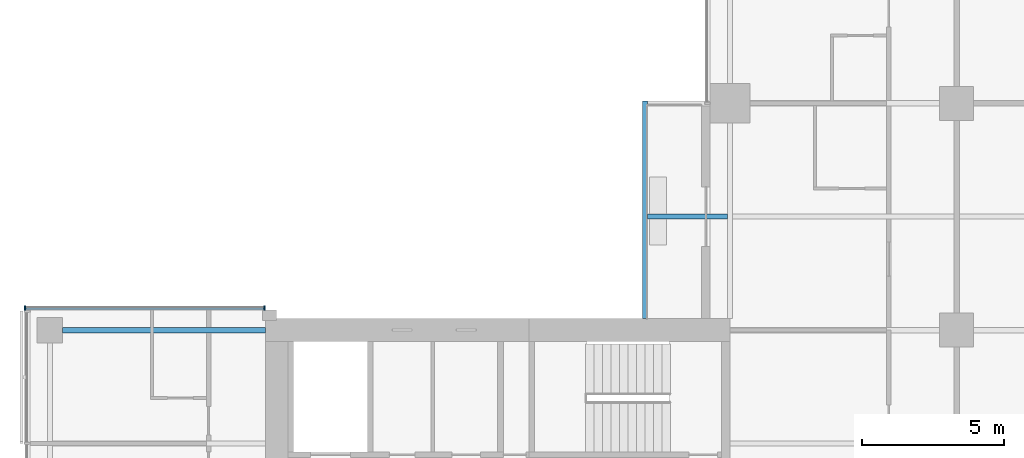
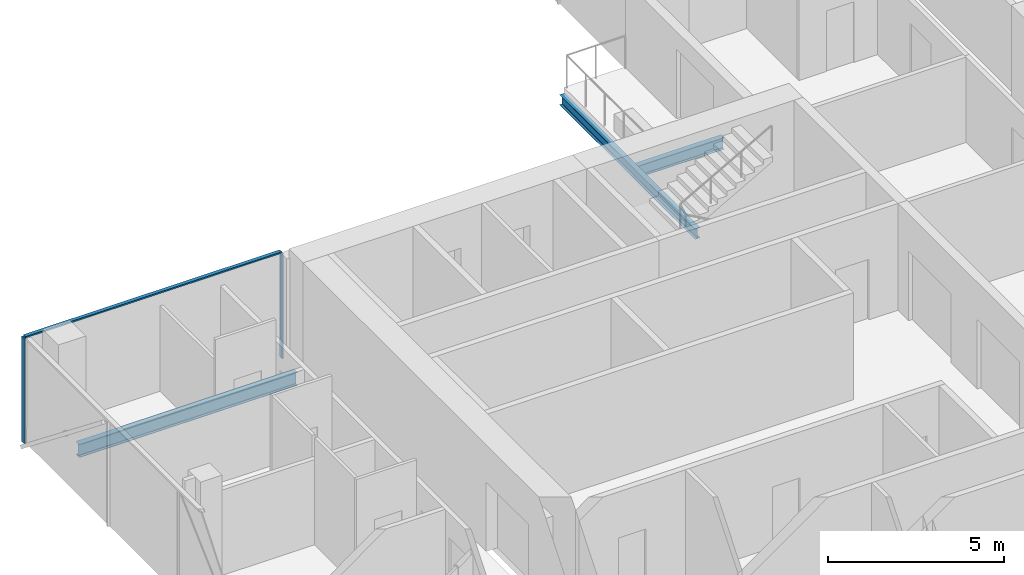
# One storey, part 8 of 27: 3 beams, 3 members, 1 element without a shape of its own.
"""IFC4 building model written with IfcOpenShell, lengths in metres."""

from ifc_helpers import new_model, si_unit, direction, frame, origin, origin_2d, place, context, subcontext, project, spatial, rectangle, i_section, extrude, material, material_profile, profile_set, type_object, element, aggregate, save


model = new_model("IFC4")

# Units and contexts
model_context = context("Model", 3, precision=1e-05, world=origin(), true_north=direction((0.0, 1.0)))
body_context = subcontext(model_context, "Body", "Model", "MODEL_VIEW")
ifc_project = project(units=[si_unit("LENGTHUNIT", "METRE"), si_unit("AREAUNIT", "SQUARE_METRE"), si_unit("VOLUMEUNIT", "CUBIC_METRE"), si_unit("PLANEANGLEUNIT", "RADIAN"), si_unit("MASSUNIT", "GRAM", prefix="KILO")], contexts=[model_context])

# Site, building, storey
site_placement = place(None, origin())
site = spatial("IfcSite", under=ifc_project, at=site_placement, CompositionType="ELEMENT")
building_placement = place(site_placement, origin())
building = spatial("IfcBuilding", under=site, at=building_placement, Name="Crosswind Convention Tower", CompositionType="ELEMENT")
storey_placement = place(building_placement, frame((0.0, 0.0, 86.800048828125)))
storey = spatial("IfcBuildingStorey", under=building, at=storey_placement, Name="L16", CompositionType="ELEMENT", Elevation=86.800048828125)

# Beams
ifc_material_1 = material(Name="Steel S355", Category="steel")
ifc_material_profile_1 = material_profile(ifc_material_1, i_section(OverallWidth=0.177734375, OverallDepth=0.406494140625, WebThickness=0.0078125, FlangeThickness=0.0126953125, FilletRadius=0.01025390625, at=origin_2d()), Name="UB 406x178x60")
ifc_profile_set_1 = profile_set([ifc_material_profile_1], Name="Steel S355")
beam_type_1 = type_object("IfcBeamType", Name="Balcony cantilever UB 406x178x60", PredefinedType="BEAM", material=ifc_profile_set_1)
beam_1_placement = place(storey_placement, frame((112.90478515625, 116.0, -0.483154296875), z_axis=(-1.0, 0.0, 0.0), x_axis=(0.0, -1.0, 0.0)))
element("IfcBeam", 1, at=beam_1_placement, inside=storey, type_object=beam_type_1, Name="B35 L16 balcony cantilever NW 4", PredefinedType="BEAM", context=body_context, shape_type="SweptSolid", body=[
    extrude(i_section(OverallWidth=0.177734375, OverallDepth=0.406494140625, WebThickness=0.0078125, FlangeThickness=0.0126953125, FilletRadius=0.01025390625, at=origin_2d()), origin(), (0.0, 0.0, 1.0), 2.8193359375),
])
ifc_material_profile_2 = material_profile(ifc_material_1, i_section(OverallWidth=0.1708984375, OverallDepth=0.35205078125, WebThickness=0.0068359375, FlangeThickness=0.009765625, FilletRadius=0.01025390625, at=origin_2d()), Name="UB 356x171x45")
ifc_profile_set_2 = profile_set([ifc_material_profile_2], Name="Steel S355")
beam_type_2 = type_object("IfcBeamType", Name="Balcony edge beam UB 356x171x45", PredefinedType="BEAM", material=ifc_profile_set_2)
beam_2_placement = place(storey_placement, frame((110.0, 112.39990234375, -0.4560546875), z_axis=(0.0, 1.0, 0.0), x_axis=(-1.0, 0.0, 0.0)))
element("IfcBeam", 2, at=beam_2_placement, inside=storey, type_object=beam_type_2, Name="B37 L16 balcony edge beam NW 6", PredefinedType="BEAM", context=body_context, shape_type="SweptSolid", body=[
    extrude(i_section(OverallWidth=0.1708984375, OverallDepth=0.35205078125, WebThickness=0.0068359375, FlangeThickness=0.009765625, FilletRadius=0.01025390625, at=origin_2d()), origin(), (0.0, 0.0, 1.0), 7.68896484375),
])
ifc_material_profile_3 = material_profile(ifc_material_1, i_section(OverallWidth=0.1904296875, OverallDepth=0.457275390625, WebThickness=0.009033203125, FlangeThickness=0.014404296875, FilletRadius=0.01025390625, at=origin_2d()), Name="UB 457x191x75")
ifc_profile_set_3 = profile_set([ifc_material_profile_3], Name="Steel S355")
beam_type_3 = type_object("IfcBeamType", Name="Edge beam UB 457x191x75", PredefinedType="SPANDREL", material=ifc_profile_set_3)
beam_3_placement = place(storey_placement, frame((89.449951171875, 112.0, -0.508544921875), z_axis=(1.0, 0.0, 0.0), x_axis=(0.0, 1.0, 0.0)))
element("IfcBeam", 3, at=beam_3_placement, inside=storey, type_object=beam_type_3, Name="B17 L16 edge beam 5", PredefinedType="SPANDREL", context=body_context, shape_type="SweptSolid", body=[
    extrude(i_section(OverallWidth=0.1904296875, OverallDepth=0.457275390625, WebThickness=0.009033203125, FlangeThickness=0.014404296875, FilletRadius=0.01025390625, at=origin_2d()), origin(), (0.0, 0.0, 1.0), 7.150146484375),
])

# Curtain wall, members
ifc_material_2 = material(Name="Aluminium unitised curtain wall", Category="aluminium")
curtain_wall_type = type_object("IfcCurtainWallType", Name="CORE END SLOT WALL 160", PredefinedType="USERDEFINED", material=ifc_material_2)
curtain_wall_placement = place(storey_placement, origin())
curtain_wall = element("IfcCurtainWall", 4, at=curtain_wall_placement, inside=storey, type_object=curtain_wall_type, Name="CW6 L16 W-N.2-1 slot", ObjectType="UNITISED", PredefinedType="USERDEFINED")
ifc_material_3 = material(Name="Aluminium mullion", Category="aluminium")
ifc_material_profile_4 = material_profile(ifc_material_3, rectangle(XDim=0.159912109375, YDim=0.050048828125, at=origin_2d()), Name="AL 160X50")
ifc_profile_set_4 = profile_set([ifc_material_profile_4], Name="Aluminium mullion")
member_type_1 = type_object("IfcMemberType", Name="MULLION 50X160", PredefinedType="MULLION", material=ifc_profile_set_4)
member_1_placement = place(storey_placement, frame((96.574951171875, 112.780029296875, -0.280029296875), z_axis=(0.0, 0.0, 1.0), x_axis=(0.0, 1.0, 0.0)))
member_1 = element("IfcMember", 5, at=member_1_placement, type_object=member_type_1, Name="CW6 mullion 1", PredefinedType="MULLION", context=body_context, shape_type="SweptSolid", body=[
    extrude(rectangle(XDim=0.159912109375, YDim=0.050048828125, at=origin_2d()), origin(), (0.0, 0.0, 1.0), 3.64990234375),
])
member_2_placement = place(storey_placement, frame((88.125, 112.780029296875, -0.280029296875), z_axis=(0.0, 0.0, 1.0), x_axis=(0.0, 1.0, 0.0)))
member_2 = element("IfcMember", 6, at=member_2_placement, type_object=member_type_1, Name="CW6 mullion 2", PredefinedType="MULLION", context=body_context, shape_type="SweptSolid", body=[
    extrude(rectangle(XDim=0.159912109375, YDim=0.050048828125, at=origin_2d()), origin(), (0.0, 0.0, 1.0), 3.64990234375),
])
ifc_material_4 = material(Name="Aluminium transom", Category="aluminium")
ifc_material_profile_5 = material_profile(ifc_material_4, rectangle(XDim=0.1201171875, YDim=0.050048828125, at=origin_2d()), Name="AL 120X50")
ifc_profile_set_5 = profile_set([ifc_material_profile_5], Name="Aluminium transom")
member_type_2 = type_object("IfcMemberType", Name="TRANSOM 50X120", PredefinedType="USERDEFINED", material=ifc_profile_set_5)
member_3_placement = place(storey_placement, frame((96.550048828125, 112.780029296875, 3.39501953125), z_axis=(-1.0, 0.0, 0.0), x_axis=(0.0, -1.0, 0.0)))
member_3 = element("IfcMember", 7, at=member_3_placement, type_object=member_type_2, Name="CW6 transom", ObjectType="TRANSOM", PredefinedType="USERDEFINED", context=body_context, shape_type="SweptSolid", body=[
    extrude(rectangle(XDim=0.1201171875, YDim=0.050048828125, at=origin_2d()), origin(), (0.0, 0.0, 1.0), 8.400146484375),
])
aggregate(curtain_wall, [member_1, member_2, member_3])

save(model, "model.ifc")
